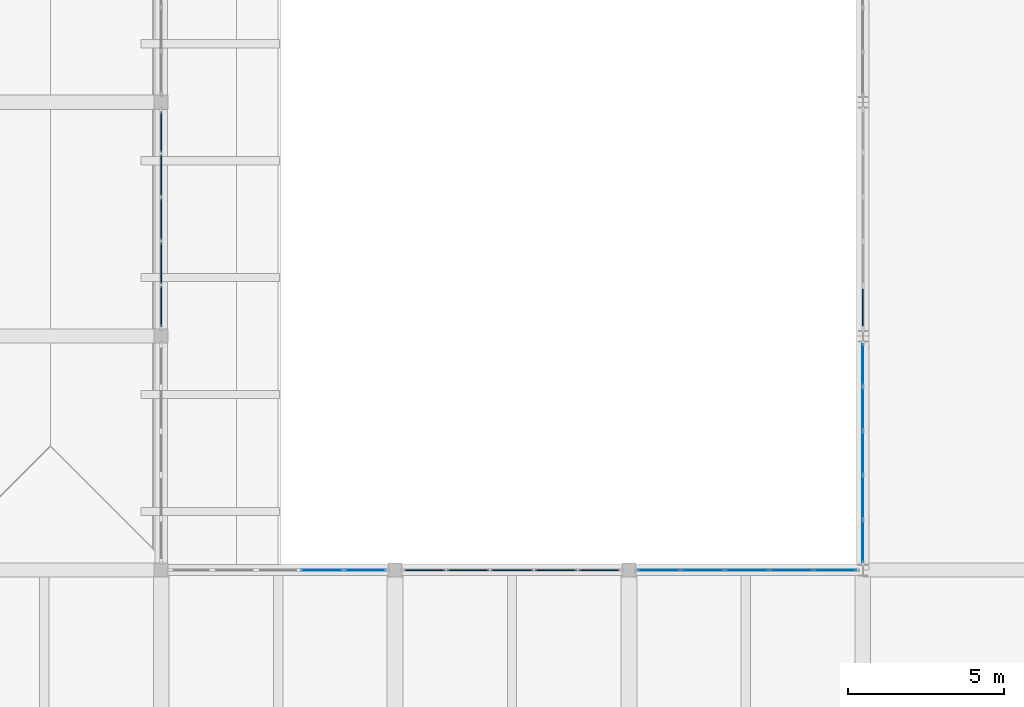
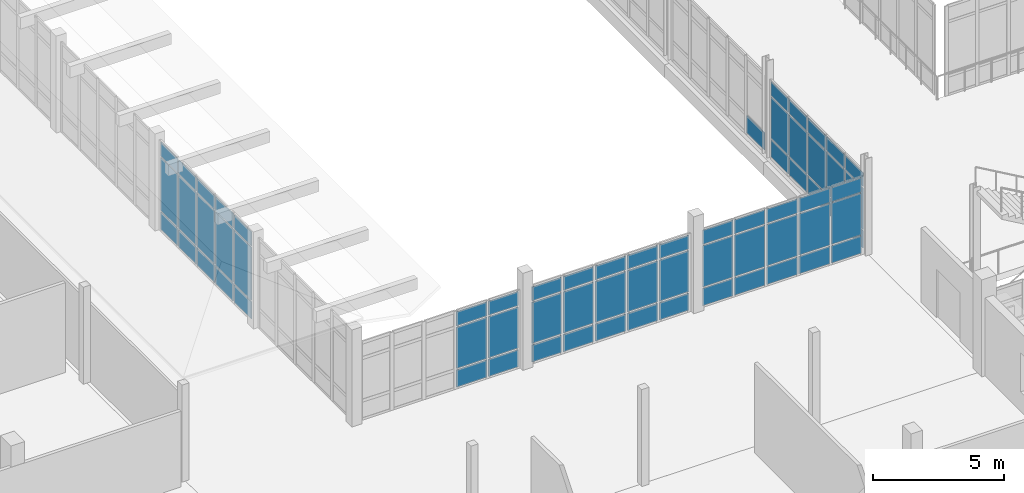
# One storey, part 73 of 128: 67 plates, 6 elements without a shape of their own.
"""IFC4 building model written with IfcOpenShell, lengths in metres."""

import ifcopenshell
import ifcopenshell.guid

model = None  # the IFC model being written
_history = None  # IfcOwnerHistory: only IFC2X3 demands one
_inside = {}  # id of a spatial element -> (the spatial element, [elements in it])
_under = {}  # id of a project, library or spatial element -> (it, [spatial elements below it])
_declared = {}  # id of a project -> (the project, [libraries it declares])
_typed = {}  # id of a type object -> (the type object, [elements of that type])
_made_of = {}  # id of a material, layer set ... -> (it, [elements and type objects made of it])


def new_model(schema):
    """Start an empty IFC model of exactly this schema.

    Asked for "IFC4X3", IfcOpenShell would pick the latest addendum, in which some entities
    have other attributes; the version numbers below select the first issue.
    IFC2X3 requires an IfcOwnerHistory on every rooted entity: one is made here for all.
    """
    global model, _history
    if schema == "IFC4X3":
        model = ifcopenshell.file(schema_version=(4, 3, 0, 0))
    else:
        model = ifcopenshell.file(schema=schema)
    _inside.clear()
    _under.clear()
    _declared.clear()
    _typed.clear()
    _made_of.clear()
    _history = None
    if model.schema == "IFC2X3":
        org = make("IfcOrganization", Name="unknown")
        user = make(
            "IfcPersonAndOrganization",
            ThePerson=make("IfcPerson", FamilyName="unknown"),
            TheOrganization=org,
        )
        app = make(
            "IfcApplication",
            ApplicationDeveloper=org,
            Version="unknown",
            ApplicationFullName="unknown",
            ApplicationIdentifier="unknown",
        )
        _history = make(
            "IfcOwnerHistory",
            OwningUser=user,
            OwningApplication=app,
            ChangeAction="ADDED",
            CreationDate=0,
        )
    return model


def make(cls, **values):
    """One entity of the class cls with the attributes given. An attribute that is None is left unset."""
    return model.create_entity(
        cls, **{name: value for name, value in values.items() if value is not None}
    )


def rooted(cls, **values):
    """An entity with a GlobalId (a new one), such as an element, a storey or a relation."""
    return make(cls, GlobalId=ifcopenshell.guid.new(), OwnerHistory=_history, **values)


def si_unit(unit_type, name, prefix=None):
    """IfcSIUnit, for example si_unit("LENGTHUNIT", "METRE", prefix="MILLI")."""
    return make("IfcSIUnit", UnitType=unit_type, Prefix=prefix, Name=name)


def assignment(units):
    """IfcUnitAssignment: the units of a project."""
    return None if units is None else make("IfcUnitAssignment", Units=units)


def point(xyz):
    """IfcCartesianPoint."""
    return None if xyz is None else make("IfcCartesianPoint", Coordinates=xyz)


def direction(xyz):
    """IfcDirection."""
    return None if xyz is None else make("IfcDirection", DirectionRatios=xyz)


def frame(location, z_axis=None, x_axis=None):
    """IfcAxis2Placement3D, a coordinate frame: its origin and axes. An axis left out is left unset."""
    return make(
        "IfcAxis2Placement3D",
        Location=point(location),
        Axis=direction(z_axis),
        RefDirection=direction(x_axis),
    )


def frame_2d(location, x_axis=None):
    """IfcAxis2Placement2D, a coordinate frame in the plane: its origin and x axis."""
    return make(
        "IfcAxis2Placement2D", Location=point(location), RefDirection=direction(x_axis)
    )


def origin():
    """The frame at (0, 0, 0) with its axes left unset."""
    return frame((0.0, 0.0, 0.0))


def origin_2d():
    """The frame at (0, 0) in the plane with its x axis left unset."""
    return frame_2d((0.0, 0.0))


def place(relative_to, where):
    """IfcLocalPlacement: puts the frame where relative to a parent placement (None: the world)."""
    return make(
        "IfcLocalPlacement", PlacementRelTo=relative_to, RelativePlacement=where
    )


def context(
    kind, dimensions, precision=None, world=None, true_north=None, identifier=None
):
    """IfcGeometricRepresentationContext, for example the 3D "Model" context."""
    return make(
        "IfcGeometricRepresentationContext",
        ContextIdentifier=identifier,
        ContextType=kind,
        CoordinateSpaceDimension=dimensions,
        Precision=precision,
        WorldCoordinateSystem=world,
        TrueNorth=true_north,
    )


def subcontext(parent, identifier, kind, view, scale=None):
    """IfcGeometricRepresentationSubContext, for example "Body" below "Model"."""
    return make(
        "IfcGeometricRepresentationSubContext",
        ContextIdentifier=identifier,
        ContextType=kind,
        ParentContext=parent,
        TargetScale=scale,
        TargetView=view,
    )


def project(units=None, contexts=None):
    """IfcProject with its units and contexts."""
    return rooted(
        "IfcProject",
        Name="project",
        RepresentationContexts=contexts,
        UnitsInContext=assignment(units),
    )


def spatial(cls, under=None, at=None, **own):
    """A site, building, storey or space (cls), placed at a placement, below another one or the project."""
    s = rooted(cls, ObjectPlacement=at, **own)
    if under is not None:
        _under.setdefault(under.id(), (under, []))[1].append(s)
    return s


def profile(cls, at=None, kind="AREA", **sizes):
    """A parametric profile (cls). Its sizes go by their IFC names, for example OverallWidth=200.0."""
    return make(cls, ProfileType=kind, Position=at, **sizes)


def rectangle(**sizes):
    """IfcRectangleProfileDef."""
    return profile("IfcRectangleProfileDef", **sizes)


def extrude(swept, where, along, depth):
    """IfcExtrudedAreaSolid: the profile swept, set in the frame where, extruded along a direction by depth."""
    return make(
        "IfcExtrudedAreaSolid",
        SweptArea=swept,
        Position=where,
        ExtrudedDirection=direction(along),
        Depth=depth,
    )


def shape(context_of_items, identifier, shape_type, items):
    """IfcShapeRepresentation: the items that make up one representation, for example the "Body"."""
    return make(
        "IfcShapeRepresentation",
        ContextOfItems=context_of_items,
        RepresentationIdentifier=identifier,
        RepresentationType=shape_type,
        Items=items,
    )


def material(Name=None, Category=None):
    """IfcMaterial."""
    return make("IfcMaterial", Name=Name, Category=Category)


def layer(
    of_material, thickness, ventilated=None, Name=None, Category=None, Priority=None
):
    """IfcMaterialLayer: one layer of a wall or slab, of a material (None: an air gap)."""
    return make(
        "IfcMaterialLayer",
        Material=of_material,
        LayerThickness=thickness,
        IsVentilated=ventilated,
        Name=Name,
        Category=Category,
        Priority=Priority,
    )


def layer_set(layers, Name=None):
    """IfcMaterialLayerSet."""
    return make("IfcMaterialLayerSet", MaterialLayers=layers, LayerSetName=Name)


def made_of(thing, what):
    """Note that an element or type object is made of a material, layer set ...; save() writes the relation."""
    if what is not None:
        _made_of.setdefault(what.id(), (what, []))[1].append(thing)
    return thing


def type_object(cls, material=None, **own):
    """A type object (cls), such as IfcWallType, which elements share."""
    return made_of(rooted(cls, **own), material)


def element(
    cls,
    number,
    at=None,
    inside=None,
    cuts=None,
    type_object=None,
    material=None,
    context=None,
    identifier="Body",
    shape_type=None,
    held_by="IfcProductDefinitionShape",
    body=None,
    shapes=None,
    **own,
):
    """One element of the class cls, such as IfcWall. Its Tag is "e" and its number.

    at: its placement. inside: the storey or other place that contains it. cuts: it is an
    opening in that element (IfcRelVoidsElement). A single representation is given by context,
    identifier, shape_type and body (its items); several are given by shapes. held_by: the class
    of the entity that holds the representations. save() writes the other relations.
    """
    e = rooted(cls, Tag="e%d" % number, ObjectPlacement=at, **own)
    if body is not None:
        shapes = [shape(context, identifier, shape_type, body)]
    if shapes is not None:
        e.Representation = make(held_by, Representations=shapes)
    if inside is not None:
        _inside.setdefault(inside.id(), (inside, []))[1].append(e)
    if cuts is not None:
        rooted(
            "IfcRelVoidsElement", RelatingBuildingElement=cuts, RelatedOpeningElement=e
        )
    if type_object is not None:
        _typed.setdefault(type_object.id(), (type_object, []))[1].append(e)
    return made_of(e, material)


def aggregate(whole, parts):
    """IfcRelAggregates: a whole, such as a stair, and the parts it consists of."""
    return rooted("IfcRelAggregates", RelatingObject=whole, RelatedObjects=parts)


def save(model, path):
    """Write the relations noted so far, then the file.

    IfcRelAggregates (storeys below a building ...), IfcRelContainedInSpatialStructure (elements
    in a storey), IfcRelDefinesByType, IfcRelAssociatesMaterial and IfcRelDeclares: one each for
    every whole, place, type object, material and project.
    """
    for whole, parts in _under.values():
        aggregate(whole, parts)
    for where, things in _inside.values():
        rooted(
            "IfcRelContainedInSpatialStructure",
            RelatedElements=things,
            RelatingStructure=where,
        )
    for kind, things in _typed.values():
        rooted("IfcRelDefinesByType", RelatedObjects=things, RelatingType=kind)
    for what, things in _made_of.values():
        rooted("IfcRelAssociatesMaterial", RelatedObjects=things, RelatingMaterial=what)
    for by, libraries in _declared.values():
        rooted("IfcRelDeclares", RelatingContext=by, RelatedDefinitions=libraries)
    model.write(path)


model = new_model("IFC4")

# Units and contexts
model_context = context("Model", 3, precision=1e-05, world=origin(), true_north=direction((0.0, 1.0)))
body_context = subcontext(model_context, "Body", "Model", "MODEL_VIEW")
ifc_project = project(units=[si_unit("LENGTHUNIT", "METRE"), si_unit("AREAUNIT", "SQUARE_METRE"), si_unit("VOLUMEUNIT", "CUBIC_METRE"), si_unit("PLANEANGLEUNIT", "RADIAN"), si_unit("MASSUNIT", "GRAM", prefix="KILO")], contexts=[model_context])

# Site, building, storey
site_placement = place(None, origin())
site = spatial("IfcSite", under=ifc_project, at=site_placement, CompositionType="ELEMENT")
building_placement = place(site_placement, origin())
building = spatial("IfcBuilding", under=site, at=building_placement, Name="Dalvernix Boulevard General Hospital", CompositionType="ELEMENT")
storey_placement = place(building_placement, frame((0.0, 0.0, 4.800048828125)))
storey = spatial("IfcBuildingStorey", under=building, at=storey_placement, Name="L01", CompositionType="ELEMENT", Elevation=4.800048828125)

# Curtain wall, plates
ifc_material_1 = material(Name="Thermally broken aluminium and solar-control glass curtain wall", Category="aluminium")
ifc_layer_1 = layer(ifc_material_1, 0.159912109375)
ifc_layer_set_1 = layer_set([ifc_layer_1], Name="Thermally broken aluminium and solar-control glass curtain wall (CW-CW-A-71x36)")
curtain_wall_type_1 = type_object("IfcCurtainWallType", Name="CW-CW-A-71x36", PredefinedType="USERDEFINED", material=ifc_layer_set_1)
curtain_wall_1_placement = place(storey_placement, origin())
curtain_wall_1 = element("IfcCurtainWall", 1, at=curtain_wall_1_placement, inside=storey, type_object=curtain_wall_type_1, Name="L01 curtain wall CW-A-71x36 7-4", ObjectType="GLAZED FACADE", PredefinedType="USERDEFINED")
ifc_material_2 = material(Name="Double-glazed solar-control low-emissivity glass", Category="glass")
ifc_layer_2 = layer(ifc_material_2, 0.02392578125)
ifc_layer_set_2 = layer_set([ifc_layer_2], Name="Double-glazed solar-control low-emissivity glass (PLT-CW-P1)")
plate_type_1 = type_object("IfcPlateType", Name="PLT-CW-P1", PredefinedType="CURTAIN_PANEL", material=ifc_layer_set_2)
plate_1_placement = place(storey_placement, frame((53.46044921875, 31.5, 0.059814453125), z_axis=(0.0, 0.0, 1.0), x_axis=(1.0, 0.0, 0.0)))
plate_1 = element("IfcPlate", 2, at=plate_1_placement, type_object=plate_type_1, Name="CW-A-71x36 panel 1.1", PredefinedType="CURTAIN_PANEL", context=body_context, shape_type="SweptSolid", body=[
    extrude(rectangle(XDim=1.3310546875, YDim=0.02392578125, at=origin_2d()), origin(), (0.0, 0.0, 1.0), 0.81005859375),
])
plate_2_placement = place(storey_placement, frame((53.46044921875, 31.5, 0.929931640625), z_axis=(0.0, 0.0, 1.0), x_axis=(1.0, 0.0, 0.0)))
plate_2 = element("IfcPlate", 3, at=plate_2_placement, type_object=plate_type_1, Name="CW-A-71x36 panel 1.2", PredefinedType="CURTAIN_PANEL", context=body_context, shape_type="SweptSolid", body=[
    extrude(rectangle(XDim=1.3310546875, YDim=0.02392578125, at=origin_2d()), origin(), (0.0, 0.0, 1.0), 1.919921875),
])
plate_3_placement = place(storey_placement, frame((53.46044921875, 31.5, 2.91015625), z_axis=(0.0, 0.0, 1.0), x_axis=(1.0, 0.0, 0.0)))
plate_3 = element("IfcPlate", 4, at=plate_3_placement, type_object=plate_type_1, Name="CW-A-71x36 panel 1.3", PredefinedType="CURTAIN_PANEL", context=body_context, shape_type="SweptSolid", body=[
    extrude(rectangle(XDim=1.3310546875, YDim=0.02392578125, at=origin_2d()), origin(), (0.0, 0.0, 1.0), 0.659912109375),
])
plate_4_placement = place(storey_placement, frame((54.866455078125, 31.5, 0.059814453125), z_axis=(0.0, 0.0, 1.0), x_axis=(1.0, 0.0, 0.0)))
plate_4 = element("IfcPlate", 5, at=plate_4_placement, type_object=plate_type_1, Name="CW-A-71x36 panel 2.1", PredefinedType="CURTAIN_PANEL", context=body_context, shape_type="SweptSolid", body=[
    extrude(rectangle(XDim=1.361083984375, YDim=0.02392578125, at=origin_2d()), origin(), (0.0, 0.0, 1.0), 0.81005859375),
])
plate_5_placement = place(storey_placement, frame((54.866455078125, 31.5, 0.929931640625), z_axis=(0.0, 0.0, 1.0), x_axis=(1.0, 0.0, 0.0)))
plate_5 = element("IfcPlate", 6, at=plate_5_placement, type_object=plate_type_1, Name="CW-A-71x36 panel 2.2", PredefinedType="CURTAIN_PANEL", context=body_context, shape_type="SweptSolid", body=[
    extrude(rectangle(XDim=1.361083984375, YDim=0.02392578125, at=origin_2d()), origin(), (0.0, 0.0, 1.0), 1.919921875),
])
plate_6_placement = place(storey_placement, frame((54.866455078125, 31.5, 2.91015625), z_axis=(0.0, 0.0, 1.0), x_axis=(1.0, 0.0, 0.0)))
plate_6 = element("IfcPlate", 7, at=plate_6_placement, type_object=plate_type_1, Name="CW-A-71x36 panel 2.3", PredefinedType="CURTAIN_PANEL", context=body_context, shape_type="SweptSolid", body=[
    extrude(rectangle(XDim=1.361083984375, YDim=0.02392578125, at=origin_2d()), origin(), (0.0, 0.0, 1.0), 0.659912109375),
])
plate_7_placement = place(storey_placement, frame((56.28759765625, 31.5, 0.059814453125), z_axis=(0.0, 0.0, 1.0), x_axis=(1.0, 0.0, 0.0)))
plate_7 = element("IfcPlate", 8, at=plate_7_placement, type_object=plate_type_1, Name="CW-A-71x36 panel 3.1", PredefinedType="CURTAIN_PANEL", context=body_context, shape_type="SweptSolid", body=[
    extrude(rectangle(XDim=1.361083984375, YDim=0.02392578125, at=origin_2d()), origin(), (0.0, 0.0, 1.0), 0.81005859375),
])
plate_8_placement = place(storey_placement, frame((56.28759765625, 31.5, 0.929931640625), z_axis=(0.0, 0.0, 1.0), x_axis=(1.0, 0.0, 0.0)))
plate_8 = element("IfcPlate", 9, at=plate_8_placement, type_object=plate_type_1, Name="CW-A-71x36 panel 3.2", PredefinedType="CURTAIN_PANEL", context=body_context, shape_type="SweptSolid", body=[
    extrude(rectangle(XDim=1.361083984375, YDim=0.02392578125, at=origin_2d()), origin(), (0.0, 0.0, 1.0), 1.919921875),
])
plate_9_placement = place(storey_placement, frame((56.28759765625, 31.5, 2.91015625), z_axis=(0.0, 0.0, 1.0), x_axis=(1.0, 0.0, 0.0)))
plate_9 = element("IfcPlate", 10, at=plate_9_placement, type_object=plate_type_1, Name="CW-A-71x36 panel 3.3", PredefinedType="CURTAIN_PANEL", context=body_context, shape_type="SweptSolid", body=[
    extrude(rectangle(XDim=1.361083984375, YDim=0.02392578125, at=origin_2d()), origin(), (0.0, 0.0, 1.0), 0.659912109375),
])
plate_10_placement = place(storey_placement, frame((57.70849609375, 31.5, 0.059814453125), z_axis=(0.0, 0.0, 1.0), x_axis=(1.0, 0.0, 0.0)))
plate_10 = element("IfcPlate", 11, at=plate_10_placement, type_object=plate_type_1, Name="CW-A-71x36 panel 4.1", PredefinedType="CURTAIN_PANEL", context=body_context, shape_type="SweptSolid", body=[
    extrude(rectangle(XDim=1.361083984375, YDim=0.02392578125, at=origin_2d()), origin(), (0.0, 0.0, 1.0), 0.81005859375),
])
plate_11_placement = place(storey_placement, frame((57.70849609375, 31.5, 0.929931640625), z_axis=(0.0, 0.0, 1.0), x_axis=(1.0, 0.0, 0.0)))
plate_11 = element("IfcPlate", 12, at=plate_11_placement, type_object=plate_type_1, Name="CW-A-71x36 panel 4.2", PredefinedType="CURTAIN_PANEL", context=body_context, shape_type="SweptSolid", body=[
    extrude(rectangle(XDim=1.361083984375, YDim=0.02392578125, at=origin_2d()), origin(), (0.0, 0.0, 1.0), 1.919921875),
])
plate_12_placement = place(storey_placement, frame((57.70849609375, 31.5, 2.91015625), z_axis=(0.0, 0.0, 1.0), x_axis=(1.0, 0.0, 0.0)))
plate_12 = element("IfcPlate", 13, at=plate_12_placement, type_object=plate_type_1, Name="CW-A-71x36 panel 4.3", PredefinedType="CURTAIN_PANEL", context=body_context, shape_type="SweptSolid", body=[
    extrude(rectangle(XDim=1.361083984375, YDim=0.02392578125, at=origin_2d()), origin(), (0.0, 0.0, 1.0), 0.659912109375),
])
plate_13_placement = place(storey_placement, frame((59.114501953125, 31.5, 0.059814453125), z_axis=(0.0, 0.0, 1.0), x_axis=(1.0, 0.0, 0.0)))
plate_13 = element("IfcPlate", 14, at=plate_13_placement, type_object=plate_type_1, Name="CW-A-71x36 panel 5.1", PredefinedType="CURTAIN_PANEL", context=body_context, shape_type="SweptSolid", body=[
    extrude(rectangle(XDim=1.3310546875, YDim=0.02392578125, at=origin_2d()), origin(), (0.0, 0.0, 1.0), 0.81005859375),
])
plate_14_placement = place(storey_placement, frame((59.114501953125, 31.5, 0.929931640625), z_axis=(0.0, 0.0, 1.0), x_axis=(1.0, 0.0, 0.0)))
plate_14 = element("IfcPlate", 15, at=plate_14_placement, type_object=plate_type_1, Name="CW-A-71x36 panel 5.2", PredefinedType="CURTAIN_PANEL", context=body_context, shape_type="SweptSolid", body=[
    extrude(rectangle(XDim=1.3310546875, YDim=0.02392578125, at=origin_2d()), origin(), (0.0, 0.0, 1.0), 1.919921875),
])
plate_15_placement = place(storey_placement, frame((59.114501953125, 31.5, 2.91015625), z_axis=(0.0, 0.0, 1.0), x_axis=(1.0, 0.0, 0.0)))
plate_15 = element("IfcPlate", 16, at=plate_15_placement, type_object=plate_type_1, Name="CW-A-71x36 panel 5.3", PredefinedType="CURTAIN_PANEL", context=body_context, shape_type="SweptSolid", body=[
    extrude(rectangle(XDim=1.3310546875, YDim=0.02392578125, at=origin_2d()), origin(), (0.0, 0.0, 1.0), 0.659912109375),
])
aggregate(curtain_wall_1, [plate_1, plate_2, plate_3, plate_4, plate_5, plate_6, plate_7, plate_8, plate_9, plate_10, plate_11, plate_12, plate_13, plate_14, plate_15])

ifc_layer_3 = layer(ifc_material_1, 0.179931640625)
ifc_layer_set_3 = layer_set([ifc_layer_3], Name="Thermally broken aluminium and solar-control glass curtain wall (CW-CW-B-70x36)")
curtain_wall_type_2 = type_object("IfcCurtainWallType", Name="CW-CW-B-70x36", PredefinedType="USERDEFINED", material=ifc_layer_set_3)
curtain_wall_2_placement = place(storey_placement, origin())
curtain_wall_2 = element("IfcCurtainWall", 17, at=curtain_wall_2_placement, inside=storey, type_object=curtain_wall_type_2, Name="L01 curtain wall CW-B-70x36 5-4", ObjectType="GLAZED FACADE", PredefinedType="USERDEFINED")
ifc_layer_4 = layer(ifc_material_2, 0.028076171875)
ifc_layer_set_4 = layer_set([ifc_layer_4], Name="Double-glazed solar-control low-emissivity glass (PLT-CW-P2)")
plate_type_2 = type_object("IfcPlateType", Name="PLT-CW-P2", PredefinedType="CURTAIN_PANEL", material=ifc_layer_set_4)
plate_16_placement = place(storey_placement, frame((42.656005859375, 31.5, 0.06494140625), z_axis=(0.0, 0.0, 1.0), x_axis=(1.0, 0.0, 0.0)))
plate_16 = element("IfcPlate", 18, at=plate_16_placement, type_object=plate_type_2, Name="CW-B-70x36 panel 4.1", PredefinedType="CURTAIN_PANEL", context=body_context, shape_type="SweptSolid", body=[
    extrude(rectangle(XDim=1.341064453125, YDim=0.028076171875, at=origin_2d()), origin(), (0.0, 0.0, 1.0), 0.802490234375),
])
plate_17_placement = place(storey_placement, frame((42.656005859375, 31.5, 0.932373046875), z_axis=(0.0, 0.0, 1.0), x_axis=(1.0, 0.0, 0.0)))
plate_17 = element("IfcPlate", 19, at=plate_17_placement, type_object=plate_type_2, Name="CW-B-70x36 panel 4.2", PredefinedType="CURTAIN_PANEL", context=body_context, shape_type="SweptSolid", body=[
    extrude(rectangle(XDim=1.341064453125, YDim=0.028076171875, at=origin_2d()), origin(), (0.0, 0.0, 1.0), 1.9150390625),
])
plate_18_placement = place(storey_placement, frame((42.656005859375, 31.5, 2.91259765625), z_axis=(0.0, 0.0, 1.0), x_axis=(1.0, 0.0, 0.0)))
plate_18 = element("IfcPlate", 20, at=plate_18_placement, type_object=plate_type_2, Name="CW-B-70x36 panel 4.3", PredefinedType="CURTAIN_PANEL", context=body_context, shape_type="SweptSolid", body=[
    extrude(rectangle(XDim=1.341064453125, YDim=0.028076171875, at=origin_2d()), origin(), (0.0, 0.0, 1.0), 0.652587890625),
])
plate_19_placement = place(storey_placement, frame((44.045654296875, 31.5, 0.06494140625), z_axis=(0.0, 0.0, 1.0), x_axis=(1.0, 0.0, 0.0)))
plate_19 = element("IfcPlate", 21, at=plate_19_placement, type_object=plate_type_2, Name="CW-B-70x36 panel 5.1", PredefinedType="CURTAIN_PANEL", context=body_context, shape_type="SweptSolid", body=[
    extrude(rectangle(XDim=1.30859375, YDim=0.028076171875, at=origin_2d()), origin(), (0.0, 0.0, 1.0), 0.802490234375),
])
plate_20_placement = place(storey_placement, frame((44.045654296875, 31.5, 0.932373046875), z_axis=(0.0, 0.0, 1.0), x_axis=(1.0, 0.0, 0.0)))
plate_20 = element("IfcPlate", 22, at=plate_20_placement, type_object=plate_type_2, Name="CW-B-70x36 panel 5.2", PredefinedType="CURTAIN_PANEL", context=body_context, shape_type="SweptSolid", body=[
    extrude(rectangle(XDim=1.30859375, YDim=0.028076171875, at=origin_2d()), origin(), (0.0, 0.0, 1.0), 1.9150390625),
])
plate_21_placement = place(storey_placement, frame((44.045654296875, 31.5, 2.91259765625), z_axis=(0.0, 0.0, 1.0), x_axis=(1.0, 0.0, 0.0)))
plate_21 = element("IfcPlate", 23, at=plate_21_placement, type_object=plate_type_2, Name="CW-B-70x36 panel 5.3", PredefinedType="CURTAIN_PANEL", context=body_context, shape_type="SweptSolid", body=[
    extrude(rectangle(XDim=1.30859375, YDim=0.028076171875, at=origin_2d()), origin(), (0.0, 0.0, 1.0), 0.652587890625),
])
aggregate(curtain_wall_2, [plate_16, plate_17, plate_18, plate_19, plate_20, plate_21])

ifc_layer_5 = layer(ifc_material_1, 0.179931640625)
ifc_layer_set_5 = layer_set([ifc_layer_5], Name="Thermally broken aluminium and solar-control glass curtain wall (CW-CW-B-71x36)")
curtain_wall_type_3 = type_object("IfcCurtainWallType", Name="CW-CW-B-71x36", PredefinedType="USERDEFINED", material=ifc_layer_set_5)
curtain_wall_3_placement = place(storey_placement, origin())
curtain_wall_3 = element("IfcCurtainWall", 24, at=curtain_wall_3_placement, inside=storey, type_object=curtain_wall_type_3, Name="L01 curtain wall CW-B-71x36 8-4", ObjectType="GLAZED FACADE", PredefinedType="USERDEFINED")
plate_22_placement = place(storey_placement, frame((60.0, 32.418212890625, 0.06494140625), z_axis=(0.0, 0.0, 1.0), x_axis=(0.0, 1.0, 0.0)))
plate_22 = element("IfcPlate", 25, at=plate_22_placement, type_object=plate_type_2, Name="CW-B-71x36 panel 1.1", PredefinedType="CURTAIN_PANEL", context=body_context, shape_type="SweptSolid", body=[
    extrude(rectangle(XDim=1.326416015625, YDim=0.028076171875, at=origin_2d()), origin(), (0.0, 0.0, 1.0), 0.802490234375),
])
plate_23_placement = place(storey_placement, frame((60.0, 32.418212890625, 0.932373046875), z_axis=(0.0, 0.0, 1.0), x_axis=(0.0, 1.0, 0.0)))
plate_23 = element("IfcPlate", 26, at=plate_23_placement, type_object=plate_type_2, Name="CW-B-71x36 panel 1.2", PredefinedType="CURTAIN_PANEL", context=body_context, shape_type="SweptSolid", body=[
    extrude(rectangle(XDim=1.326416015625, YDim=0.028076171875, at=origin_2d()), origin(), (0.0, 0.0, 1.0), 1.9150390625),
])
plate_24_placement = place(storey_placement, frame((60.0, 32.418212890625, 2.91259765625), z_axis=(0.0, 0.0, 1.0), x_axis=(0.0, 1.0, 0.0)))
plate_24 = element("IfcPlate", 27, at=plate_24_placement, type_object=plate_type_2, Name="CW-B-71x36 panel 1.3", PredefinedType="CURTAIN_PANEL", context=body_context, shape_type="SweptSolid", body=[
    extrude(rectangle(XDim=1.326416015625, YDim=0.028076171875, at=origin_2d()), origin(), (0.0, 0.0, 1.0), 0.652587890625),
])
plate_25_placement = place(storey_placement, frame((60.0, 33.825927734375, 0.06494140625), z_axis=(0.0, 0.0, 1.0), x_axis=(0.0, 1.0, 0.0)))
plate_25 = element("IfcPlate", 28, at=plate_25_placement, type_object=plate_type_2, Name="CW-B-71x36 panel 2.1", PredefinedType="CURTAIN_PANEL", context=body_context, shape_type="SweptSolid", body=[
    extrude(rectangle(XDim=1.35888671875, YDim=0.028076171875, at=origin_2d()), origin(), (0.0, 0.0, 1.0), 0.802490234375),
])
plate_26_placement = place(storey_placement, frame((60.0, 33.825927734375, 0.932373046875), z_axis=(0.0, 0.0, 1.0), x_axis=(0.0, 1.0, 0.0)))
plate_26 = element("IfcPlate", 29, at=plate_26_placement, type_object=plate_type_2, Name="CW-B-71x36 panel 2.2", PredefinedType="CURTAIN_PANEL", context=body_context, shape_type="SweptSolid", body=[
    extrude(rectangle(XDim=1.35888671875, YDim=0.028076171875, at=origin_2d()), origin(), (0.0, 0.0, 1.0), 1.9150390625),
])
plate_27_placement = place(storey_placement, frame((60.0, 33.825927734375, 2.91259765625), z_axis=(0.0, 0.0, 1.0), x_axis=(0.0, 1.0, 0.0)))
plate_27 = element("IfcPlate", 30, at=plate_27_placement, type_object=plate_type_2, Name="CW-B-71x36 panel 2.3", PredefinedType="CURTAIN_PANEL", context=body_context, shape_type="SweptSolid", body=[
    extrude(rectangle(XDim=1.35888671875, YDim=0.028076171875, at=origin_2d()), origin(), (0.0, 0.0, 1.0), 0.652587890625),
])
plate_28_placement = place(storey_placement, frame((60.0, 35.25, 0.06494140625), z_axis=(0.0, 0.0, 1.0), x_axis=(0.0, 1.0, 0.0)))
plate_28 = element("IfcPlate", 31, at=plate_28_placement, type_object=plate_type_2, Name="CW-B-71x36 panel 3.1", PredefinedType="CURTAIN_PANEL", context=body_context, shape_type="SweptSolid", body=[
    extrude(rectangle(XDim=1.35888671875, YDim=0.028076171875, at=origin_2d()), origin(), (0.0, 0.0, 1.0), 0.802490234375),
])
plate_29_placement = place(storey_placement, frame((60.0, 35.25, 0.932373046875), z_axis=(0.0, 0.0, 1.0), x_axis=(0.0, 1.0, 0.0)))
plate_29 = element("IfcPlate", 32, at=plate_29_placement, type_object=plate_type_2, Name="CW-B-71x36 panel 3.2", PredefinedType="CURTAIN_PANEL", context=body_context, shape_type="SweptSolid", body=[
    extrude(rectangle(XDim=1.35888671875, YDim=0.028076171875, at=origin_2d()), origin(), (0.0, 0.0, 1.0), 1.9150390625),
])
plate_30_placement = place(storey_placement, frame((60.0, 35.25, 2.91259765625), z_axis=(0.0, 0.0, 1.0), x_axis=(0.0, 1.0, 0.0)))
plate_30 = element("IfcPlate", 33, at=plate_30_placement, type_object=plate_type_2, Name="CW-B-71x36 panel 3.3", PredefinedType="CURTAIN_PANEL", context=body_context, shape_type="SweptSolid", body=[
    extrude(rectangle(XDim=1.35888671875, YDim=0.028076171875, at=origin_2d()), origin(), (0.0, 0.0, 1.0), 0.652587890625),
])
plate_31_placement = place(storey_placement, frame((60.0, 36.674072265625, 0.06494140625), z_axis=(0.0, 0.0, 1.0), x_axis=(0.0, 1.0, 0.0)))
plate_31 = element("IfcPlate", 34, at=plate_31_placement, type_object=plate_type_2, Name="CW-B-71x36 panel 4.1", PredefinedType="CURTAIN_PANEL", context=body_context, shape_type="SweptSolid", body=[
    extrude(rectangle(XDim=1.35888671875, YDim=0.028076171875, at=origin_2d()), origin(), (0.0, 0.0, 1.0), 0.802490234375),
])
plate_32_placement = place(storey_placement, frame((60.0, 36.674072265625, 0.932373046875), z_axis=(0.0, 0.0, 1.0), x_axis=(0.0, 1.0, 0.0)))
plate_32 = element("IfcPlate", 35, at=plate_32_placement, type_object=plate_type_2, Name="CW-B-71x36 panel 4.2", PredefinedType="CURTAIN_PANEL", context=body_context, shape_type="SweptSolid", body=[
    extrude(rectangle(XDim=1.35888671875, YDim=0.028076171875, at=origin_2d()), origin(), (0.0, 0.0, 1.0), 1.9150390625),
])
plate_33_placement = place(storey_placement, frame((60.0, 36.674072265625, 2.91259765625), z_axis=(0.0, 0.0, 1.0), x_axis=(0.0, 1.0, 0.0)))
plate_33 = element("IfcPlate", 36, at=plate_33_placement, type_object=plate_type_2, Name="CW-B-71x36 panel 4.3", PredefinedType="CURTAIN_PANEL", context=body_context, shape_type="SweptSolid", body=[
    extrude(rectangle(XDim=1.35888671875, YDim=0.028076171875, at=origin_2d()), origin(), (0.0, 0.0, 1.0), 0.652587890625),
])
plate_34_placement = place(storey_placement, frame((60.0, 38.081787109375, 0.06494140625), z_axis=(0.0, 0.0, 1.0), x_axis=(0.0, 1.0, 0.0)))
plate_34 = element("IfcPlate", 37, at=plate_34_placement, type_object=plate_type_2, Name="CW-B-71x36 panel 5.1", PredefinedType="CURTAIN_PANEL", context=body_context, shape_type="SweptSolid", body=[
    extrude(rectangle(XDim=1.326416015625, YDim=0.028076171875, at=origin_2d()), origin(), (0.0, 0.0, 1.0), 0.802490234375),
])
plate_35_placement = place(storey_placement, frame((60.0, 38.081787109375, 0.932373046875), z_axis=(0.0, 0.0, 1.0), x_axis=(0.0, 1.0, 0.0)))
plate_35 = element("IfcPlate", 38, at=plate_35_placement, type_object=plate_type_2, Name="CW-B-71x36 panel 5.2", PredefinedType="CURTAIN_PANEL", context=body_context, shape_type="SweptSolid", body=[
    extrude(rectangle(XDim=1.326416015625, YDim=0.028076171875, at=origin_2d()), origin(), (0.0, 0.0, 1.0), 1.9150390625),
])
plate_36_placement = place(storey_placement, frame((60.0, 38.081787109375, 2.91259765625), z_axis=(0.0, 0.0, 1.0), x_axis=(0.0, 1.0, 0.0)))
plate_36 = element("IfcPlate", 39, at=plate_36_placement, type_object=plate_type_2, Name="CW-B-71x36 panel 5.3", PredefinedType="CURTAIN_PANEL", context=body_context, shape_type="SweptSolid", body=[
    extrude(rectangle(XDim=1.326416015625, YDim=0.028076171875, at=origin_2d()), origin(), (0.0, 0.0, 1.0), 0.652587890625),
])
aggregate(curtain_wall_3, [plate_22, plate_23, plate_24, plate_25, plate_26, plate_27, plate_28, plate_29, plate_30, plate_31, plate_32, plate_33, plate_34, plate_35, plate_36])

ifc_layer_6 = layer(ifc_material_1, 0.199951171875)
ifc_layer_set_6 = layer_set([ifc_layer_6], Name="Thermally broken aluminium and solar-control glass curtain wall (CW-CW-C-70x42)")
curtain_wall_type_4 = type_object("IfcCurtainWallType", Name="CW-CW-C-70x42", PredefinedType="USERDEFINED", material=ifc_layer_set_6)
curtain_wall_4_placement = place(storey_placement, origin())
curtain_wall_4 = element("IfcCurtainWall", 40, at=curtain_wall_4_placement, inside=storey, type_object=curtain_wall_type_4, Name="L01 curtain wall CW-C-70x42 5-5", ObjectType="GLAZED FACADE", PredefinedType="USERDEFINED")
ifc_layer_7 = layer(ifc_material_2, 0.035888671875)
ifc_layer_set_7 = layer_set([ifc_layer_7], Name="Double-glazed solar-control low-emissivity glass (PLT-CW-P3)")
plate_type_3 = type_object("IfcPlateType", Name="PLT-CW-P3", PredefinedType="CURTAIN_PANEL", material=ifc_layer_set_7)
plate_37_placement = place(storey_placement, frame((37.5, 45.54443359375, 0.070068359375), z_axis=(0.0, 0.0, 1.0), x_axis=(0.0, -1.0, 0.0)))
plate_37 = element("IfcPlate", 41, at=plate_37_placement, type_object=plate_type_3, Name="CW-C-70x42 panel 1.1", PredefinedType="CURTAIN_PANEL", context=body_context, shape_type="SweptSolid", body=[
    extrude(rectangle(XDim=1.301025390625, YDim=0.035888671875, at=origin_2d()), origin(), (0.0, 0.0, 1.0), 0.794921875),
])
plate_38_placement = place(storey_placement, frame((37.5, 45.54443359375, 0.93505859375), z_axis=(0.0, 0.0, 1.0), x_axis=(0.0, -1.0, 0.0)))
plate_38 = element("IfcPlate", 42, at=plate_38_placement, type_object=plate_type_3, Name="CW-C-70x42 panel 1.2", PredefinedType="CURTAIN_PANEL", context=body_context, shape_type="SweptSolid", body=[
    extrude(rectangle(XDim=1.301025390625, YDim=0.035888671875, at=origin_2d()), origin(), (0.0, 0.0, 1.0), 2.4599609375),
])
plate_39_placement = place(storey_placement, frame((37.5, 45.54443359375, 3.46484375), z_axis=(0.0, 0.0, 1.0), x_axis=(0.0, -1.0, 0.0)))
plate_39 = element("IfcPlate", 43, at=plate_39_placement, type_object=plate_type_3, Name="CW-C-70x42 panel 1.3", PredefinedType="CURTAIN_PANEL", context=body_context, shape_type="SweptSolid", body=[
    extrude(rectangle(XDim=1.301025390625, YDim=0.035888671875, at=origin_2d()), origin(), (0.0, 0.0, 1.0), 0.64501953125),
])
plate_40_placement = place(storey_placement, frame((37.5, 44.156005859375, 0.070068359375), z_axis=(0.0, 0.0, 1.0), x_axis=(0.0, -1.0, 0.0)))
plate_40 = element("IfcPlate", 44, at=plate_40_placement, type_object=plate_type_3, Name="CW-C-70x42 panel 2.1", PredefinedType="CURTAIN_PANEL", context=body_context, shape_type="SweptSolid", body=[
    extrude(rectangle(XDim=1.3359375, YDim=0.035888671875, at=origin_2d()), origin(), (0.0, 0.0, 1.0), 0.794921875),
])
plate_41_placement = place(storey_placement, frame((37.5, 44.156005859375, 0.93505859375), z_axis=(0.0, 0.0, 1.0), x_axis=(0.0, -1.0, 0.0)))
plate_41 = element("IfcPlate", 45, at=plate_41_placement, type_object=plate_type_3, Name="CW-C-70x42 panel 2.2", PredefinedType="CURTAIN_PANEL", context=body_context, shape_type="SweptSolid", body=[
    extrude(rectangle(XDim=1.3359375, YDim=0.035888671875, at=origin_2d()), origin(), (0.0, 0.0, 1.0), 2.4599609375),
])
plate_42_placement = place(storey_placement, frame((37.5, 44.156005859375, 3.46484375), z_axis=(0.0, 0.0, 1.0), x_axis=(0.0, -1.0, 0.0)))
plate_42 = element("IfcPlate", 46, at=plate_42_placement, type_object=plate_type_3, Name="CW-C-70x42 panel 2.3", PredefinedType="CURTAIN_PANEL", context=body_context, shape_type="SweptSolid", body=[
    extrude(rectangle(XDim=1.3359375, YDim=0.035888671875, at=origin_2d()), origin(), (0.0, 0.0, 1.0), 0.64501953125),
])
plate_43_placement = place(storey_placement, frame((37.5, 42.75, 0.070068359375), z_axis=(0.0, 0.0, 1.0), x_axis=(0.0, -1.0, 0.0)))
plate_43 = element("IfcPlate", 47, at=plate_43_placement, type_object=plate_type_3, Name="CW-C-70x42 panel 3.1", PredefinedType="CURTAIN_PANEL", context=body_context, shape_type="SweptSolid", body=[
    extrude(rectangle(XDim=1.3359375, YDim=0.035888671875, at=origin_2d()), origin(), (0.0, 0.0, 1.0), 0.794921875),
])
plate_44_placement = place(storey_placement, frame((37.5, 42.75, 0.93505859375), z_axis=(0.0, 0.0, 1.0), x_axis=(0.0, -1.0, 0.0)))
plate_44 = element("IfcPlate", 48, at=plate_44_placement, type_object=plate_type_3, Name="CW-C-70x42 panel 3.2", PredefinedType="CURTAIN_PANEL", context=body_context, shape_type="SweptSolid", body=[
    extrude(rectangle(XDim=1.3359375, YDim=0.035888671875, at=origin_2d()), origin(), (0.0, 0.0, 1.0), 2.4599609375),
])
plate_45_placement = place(storey_placement, frame((37.5, 42.75, 3.46484375), z_axis=(0.0, 0.0, 1.0), x_axis=(0.0, -1.0, 0.0)))
plate_45 = element("IfcPlate", 49, at=plate_45_placement, type_object=plate_type_3, Name="CW-C-70x42 panel 3.3", PredefinedType="CURTAIN_PANEL", context=body_context, shape_type="SweptSolid", body=[
    extrude(rectangle(XDim=1.3359375, YDim=0.035888671875, at=origin_2d()), origin(), (0.0, 0.0, 1.0), 0.64501953125),
])
plate_46_placement = place(storey_placement, frame((37.5, 41.343994140625, 0.070068359375), z_axis=(0.0, 0.0, 1.0), x_axis=(0.0, -1.0, 0.0)))
plate_46 = element("IfcPlate", 50, at=plate_46_placement, type_object=plate_type_3, Name="CW-C-70x42 panel 4.1", PredefinedType="CURTAIN_PANEL", context=body_context, shape_type="SweptSolid", body=[
    extrude(rectangle(XDim=1.3359375, YDim=0.035888671875, at=origin_2d()), origin(), (0.0, 0.0, 1.0), 0.794921875),
])
plate_47_placement = place(storey_placement, frame((37.5, 41.343994140625, 0.93505859375), z_axis=(0.0, 0.0, 1.0), x_axis=(0.0, -1.0, 0.0)))
plate_47 = element("IfcPlate", 51, at=plate_47_placement, type_object=plate_type_3, Name="CW-C-70x42 panel 4.2", PredefinedType="CURTAIN_PANEL", context=body_context, shape_type="SweptSolid", body=[
    extrude(rectangle(XDim=1.3359375, YDim=0.035888671875, at=origin_2d()), origin(), (0.0, 0.0, 1.0), 2.4599609375),
])
plate_48_placement = place(storey_placement, frame((37.5, 41.343994140625, 3.46484375), z_axis=(0.0, 0.0, 1.0), x_axis=(0.0, -1.0, 0.0)))
plate_48 = element("IfcPlate", 52, at=plate_48_placement, type_object=plate_type_3, Name="CW-C-70x42 panel 4.3", PredefinedType="CURTAIN_PANEL", context=body_context, shape_type="SweptSolid", body=[
    extrude(rectangle(XDim=1.3359375, YDim=0.035888671875, at=origin_2d()), origin(), (0.0, 0.0, 1.0), 0.64501953125),
])
plate_49_placement = place(storey_placement, frame((37.5, 39.95556640625, 0.070068359375), z_axis=(0.0, 0.0, 1.0), x_axis=(0.0, -1.0, 0.0)))
plate_49 = element("IfcPlate", 53, at=plate_49_placement, type_object=plate_type_3, Name="CW-C-70x42 panel 5.1", PredefinedType="CURTAIN_PANEL", context=body_context, shape_type="SweptSolid", body=[
    extrude(rectangle(XDim=1.301025390625, YDim=0.035888671875, at=origin_2d()), origin(), (0.0, 0.0, 1.0), 0.794921875),
])
plate_50_placement = place(storey_placement, frame((37.5, 39.95556640625, 0.93505859375), z_axis=(0.0, 0.0, 1.0), x_axis=(0.0, -1.0, 0.0)))
plate_50 = element("IfcPlate", 54, at=plate_50_placement, type_object=plate_type_3, Name="CW-C-70x42 panel 5.2", PredefinedType="CURTAIN_PANEL", context=body_context, shape_type="SweptSolid", body=[
    extrude(rectangle(XDim=1.301025390625, YDim=0.035888671875, at=origin_2d()), origin(), (0.0, 0.0, 1.0), 2.4599609375),
])
plate_51_placement = place(storey_placement, frame((37.5, 39.95556640625, 3.46484375), z_axis=(0.0, 0.0, 1.0), x_axis=(0.0, -1.0, 0.0)))
plate_51 = element("IfcPlate", 55, at=plate_51_placement, type_object=plate_type_3, Name="CW-C-70x42 panel 5.3", PredefinedType="CURTAIN_PANEL", context=body_context, shape_type="SweptSolid", body=[
    extrude(rectangle(XDim=1.301025390625, YDim=0.035888671875, at=origin_2d()), origin(), (0.0, 0.0, 1.0), 0.64501953125),
])
aggregate(curtain_wall_4, [plate_37, plate_38, plate_39, plate_40, plate_41, plate_42, plate_43, plate_44, plate_45, plate_46, plate_47, plate_48, plate_49, plate_50, plate_51])

ifc_layer_8 = layer(ifc_material_1, 0.199951171875)
ifc_layer_set_8 = layer_set([ifc_layer_8], Name="Thermally broken aluminium and solar-control glass curtain wall (CW-CW-C-70x36)")
curtain_wall_type_5 = type_object("IfcCurtainWallType", Name="CW-CW-C-70x36", PredefinedType="USERDEFINED", material=ifc_layer_set_8)
curtain_wall_5_placement = place(storey_placement, origin())
curtain_wall_5 = element("IfcCurtainWall", 56, at=curtain_wall_5_placement, inside=storey, type_object=curtain_wall_type_5, Name="L01 curtain wall CW-C-70x36 6-4", ObjectType="GLAZED FACADE", PredefinedType="USERDEFINED")
plate_52_placement = place(storey_placement, frame((45.95556640625, 31.5, 0.070068359375), z_axis=(0.0, 0.0, 1.0), x_axis=(1.0, 0.0, 0.0)))
plate_52 = element("IfcPlate", 57, at=plate_52_placement, type_object=plate_type_3, Name="CW-C-70x36 panel 1.1", PredefinedType="CURTAIN_PANEL", context=body_context, shape_type="SweptSolid", body=[
    extrude(rectangle(XDim=1.301025390625, YDim=0.035888671875, at=origin_2d()), origin(), (0.0, 0.0, 1.0), 0.794921875),
])
plate_53_placement = place(storey_placement, frame((45.95556640625, 31.5, 0.93505859375), z_axis=(0.0, 0.0, 1.0), x_axis=(1.0, 0.0, 0.0)))
plate_53 = element("IfcPlate", 58, at=plate_53_placement, type_object=plate_type_3, Name="CW-C-70x36 panel 1.2", PredefinedType="CURTAIN_PANEL", context=body_context, shape_type="SweptSolid", body=[
    extrude(rectangle(XDim=1.301025390625, YDim=0.035888671875, at=origin_2d()), origin(), (0.0, 0.0, 1.0), 1.909912109375),
])
plate_54_placement = place(storey_placement, frame((45.95556640625, 31.5, 2.9150390625), z_axis=(0.0, 0.0, 1.0), x_axis=(1.0, 0.0, 0.0)))
plate_54 = element("IfcPlate", 59, at=plate_54_placement, type_object=plate_type_3, Name="CW-C-70x36 panel 1.3", PredefinedType="CURTAIN_PANEL", context=body_context, shape_type="SweptSolid", body=[
    extrude(rectangle(XDim=1.301025390625, YDim=0.035888671875, at=origin_2d()), origin(), (0.0, 0.0, 1.0), 0.64501953125),
])
plate_55_placement = place(storey_placement, frame((47.343994140625, 31.5, 0.070068359375), z_axis=(0.0, 0.0, 1.0), x_axis=(1.0, 0.0, 0.0)))
plate_55 = element("IfcPlate", 60, at=plate_55_placement, type_object=plate_type_3, Name="CW-C-70x36 panel 2.1", PredefinedType="CURTAIN_PANEL", context=body_context, shape_type="SweptSolid", body=[
    extrude(rectangle(XDim=1.3359375, YDim=0.035888671875, at=origin_2d()), origin(), (0.0, 0.0, 1.0), 0.794921875),
])
plate_56_placement = place(storey_placement, frame((47.343994140625, 31.5, 0.93505859375), z_axis=(0.0, 0.0, 1.0), x_axis=(1.0, 0.0, 0.0)))
plate_56 = element("IfcPlate", 61, at=plate_56_placement, type_object=plate_type_3, Name="CW-C-70x36 panel 2.2", PredefinedType="CURTAIN_PANEL", context=body_context, shape_type="SweptSolid", body=[
    extrude(rectangle(XDim=1.3359375, YDim=0.035888671875, at=origin_2d()), origin(), (0.0, 0.0, 1.0), 1.909912109375),
])
plate_57_placement = place(storey_placement, frame((47.343994140625, 31.5, 2.9150390625), z_axis=(0.0, 0.0, 1.0), x_axis=(1.0, 0.0, 0.0)))
plate_57 = element("IfcPlate", 62, at=plate_57_placement, type_object=plate_type_3, Name="CW-C-70x36 panel 2.3", PredefinedType="CURTAIN_PANEL", context=body_context, shape_type="SweptSolid", body=[
    extrude(rectangle(XDim=1.3359375, YDim=0.035888671875, at=origin_2d()), origin(), (0.0, 0.0, 1.0), 0.64501953125),
])
plate_58_placement = place(storey_placement, frame((48.75, 31.5, 0.070068359375), z_axis=(0.0, 0.0, 1.0), x_axis=(1.0, 0.0, 0.0)))
plate_58 = element("IfcPlate", 63, at=plate_58_placement, type_object=plate_type_3, Name="CW-C-70x36 panel 3.1", PredefinedType="CURTAIN_PANEL", context=body_context, shape_type="SweptSolid", body=[
    extrude(rectangle(XDim=1.3359375, YDim=0.035888671875, at=origin_2d()), origin(), (0.0, 0.0, 1.0), 0.794921875),
])
plate_59_placement = place(storey_placement, frame((48.75, 31.5, 0.93505859375), z_axis=(0.0, 0.0, 1.0), x_axis=(1.0, 0.0, 0.0)))
plate_59 = element("IfcPlate", 64, at=plate_59_placement, type_object=plate_type_3, Name="CW-C-70x36 panel 3.2", PredefinedType="CURTAIN_PANEL", context=body_context, shape_type="SweptSolid", body=[
    extrude(rectangle(XDim=1.3359375, YDim=0.035888671875, at=origin_2d()), origin(), (0.0, 0.0, 1.0), 1.909912109375),
])
plate_60_placement = place(storey_placement, frame((48.75, 31.5, 2.9150390625), z_axis=(0.0, 0.0, 1.0), x_axis=(1.0, 0.0, 0.0)))
plate_60 = element("IfcPlate", 65, at=plate_60_placement, type_object=plate_type_3, Name="CW-C-70x36 panel 3.3", PredefinedType="CURTAIN_PANEL", context=body_context, shape_type="SweptSolid", body=[
    extrude(rectangle(XDim=1.3359375, YDim=0.035888671875, at=origin_2d()), origin(), (0.0, 0.0, 1.0), 0.64501953125),
])
plate_61_placement = place(storey_placement, frame((50.156005859375, 31.5, 0.070068359375), z_axis=(0.0, 0.0, 1.0), x_axis=(1.0, 0.0, 0.0)))
plate_61 = element("IfcPlate", 66, at=plate_61_placement, type_object=plate_type_3, Name="CW-C-70x36 panel 4.1", PredefinedType="CURTAIN_PANEL", context=body_context, shape_type="SweptSolid", body=[
    extrude(rectangle(XDim=1.3359375, YDim=0.035888671875, at=origin_2d()), origin(), (0.0, 0.0, 1.0), 0.794921875),
])
plate_62_placement = place(storey_placement, frame((50.156005859375, 31.5, 0.93505859375), z_axis=(0.0, 0.0, 1.0), x_axis=(1.0, 0.0, 0.0)))
plate_62 = element("IfcPlate", 67, at=plate_62_placement, type_object=plate_type_3, Name="CW-C-70x36 panel 4.2", PredefinedType="CURTAIN_PANEL", context=body_context, shape_type="SweptSolid", body=[
    extrude(rectangle(XDim=1.3359375, YDim=0.035888671875, at=origin_2d()), origin(), (0.0, 0.0, 1.0), 1.909912109375),
])
plate_63_placement = place(storey_placement, frame((50.156005859375, 31.5, 2.9150390625), z_axis=(0.0, 0.0, 1.0), x_axis=(1.0, 0.0, 0.0)))
plate_63 = element("IfcPlate", 68, at=plate_63_placement, type_object=plate_type_3, Name="CW-C-70x36 panel 4.3", PredefinedType="CURTAIN_PANEL", context=body_context, shape_type="SweptSolid", body=[
    extrude(rectangle(XDim=1.3359375, YDim=0.035888671875, at=origin_2d()), origin(), (0.0, 0.0, 1.0), 0.64501953125),
])
plate_64_placement = place(storey_placement, frame((51.54443359375, 31.5, 0.070068359375), z_axis=(0.0, 0.0, 1.0), x_axis=(1.0, 0.0, 0.0)))
plate_64 = element("IfcPlate", 69, at=plate_64_placement, type_object=plate_type_3, Name="CW-C-70x36 panel 5.1", PredefinedType="CURTAIN_PANEL", context=body_context, shape_type="SweptSolid", body=[
    extrude(rectangle(XDim=1.301025390625, YDim=0.035888671875, at=origin_2d()), origin(), (0.0, 0.0, 1.0), 0.794921875),
])
plate_65_placement = place(storey_placement, frame((51.54443359375, 31.5, 0.93505859375), z_axis=(0.0, 0.0, 1.0), x_axis=(1.0, 0.0, 0.0)))
plate_65 = element("IfcPlate", 70, at=plate_65_placement, type_object=plate_type_3, Name="CW-C-70x36 panel 5.2", PredefinedType="CURTAIN_PANEL", context=body_context, shape_type="SweptSolid", body=[
    extrude(rectangle(XDim=1.301025390625, YDim=0.035888671875, at=origin_2d()), origin(), (0.0, 0.0, 1.0), 1.909912109375),
])
plate_66_placement = place(storey_placement, frame((51.54443359375, 31.5, 2.9150390625), z_axis=(0.0, 0.0, 1.0), x_axis=(1.0, 0.0, 0.0)))
plate_66 = element("IfcPlate", 71, at=plate_66_placement, type_object=plate_type_3, Name="CW-C-70x36 panel 5.3", PredefinedType="CURTAIN_PANEL", context=body_context, shape_type="SweptSolid", body=[
    extrude(rectangle(XDim=1.301025390625, YDim=0.035888671875, at=origin_2d()), origin(), (0.0, 0.0, 1.0), 0.64501953125),
])
aggregate(curtain_wall_5, [plate_52, plate_53, plate_54, plate_55, plate_56, plate_57, plate_58, plate_59, plate_60, plate_61, plate_62, plate_63, plate_64, plate_65, plate_66])

# Curtain wall, plate
ifc_layer_9 = layer(ifc_material_1, 0.199951171875)
ifc_layer_set_9 = layer_set([ifc_layer_9], Name="Thermally broken aluminium and solar-control glass curtain wall (CW-CW-C-71x36)")
curtain_wall_type_6 = type_object("IfcCurtainWallType", Name="CW-CW-C-71x36", PredefinedType="USERDEFINED", material=ifc_layer_set_9)
curtain_wall_6_placement = place(storey_placement, origin())
curtain_wall_6 = element("IfcCurtainWall", 72, at=curtain_wall_6_placement, inside=storey, type_object=curtain_wall_type_6, Name="L01 curtain wall CW-C-71x36 8-5", ObjectType="GLAZED FACADE", PredefinedType="USERDEFINED")
plate_67_placement = place(storey_placement, frame((60.0, 39.91943359375, 0.070068359375), z_axis=(0.0, 0.0, 1.0), x_axis=(0.0, 1.0, 0.0)))
plate_67 = element("IfcPlate", 73, at=plate_67_placement, type_object=plate_type_3, Name="CW-C-71x36 panel 1.1", PredefinedType="CURTAIN_PANEL", context=body_context, shape_type="SweptSolid", body=[
    extrude(rectangle(XDim=1.319091796875, YDim=0.035888671875, at=origin_2d()), origin(), (0.0, 0.0, 1.0), 0.794921875),
])
aggregate(curtain_wall_6, [plate_67])

save(model, "model.ifc")
